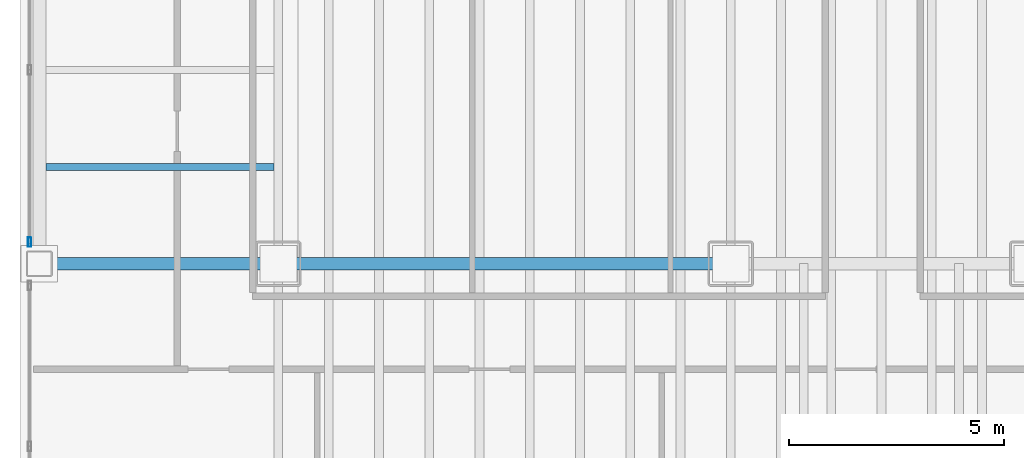
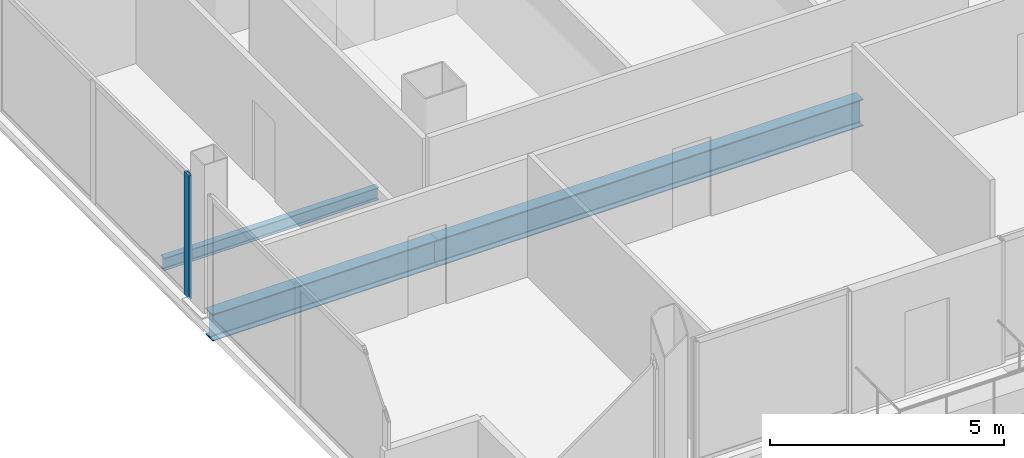
# One storey, part 4 of 21: 3 beams, 1 member, 1 element without a shape of its own.
"""IFC4 building model written with IfcOpenShell, lengths in metres."""

import ifcopenshell
import ifcopenshell.guid

model = None  # the IFC model being written
_history = None  # IfcOwnerHistory: only IFC2X3 demands one
_inside = {}  # id of a spatial element -> (the spatial element, [elements in it])
_under = {}  # id of a project, library or spatial element -> (it, [spatial elements below it])
_declared = {}  # id of a project -> (the project, [libraries it declares])
_typed = {}  # id of a type object -> (the type object, [elements of that type])
_made_of = {}  # id of a material, layer set ... -> (it, [elements and type objects made of it])


def new_model(schema):
    """Start an empty IFC model of exactly this schema.

    Asked for "IFC4X3", IfcOpenShell would pick the latest addendum, in which some entities
    have other attributes; the version numbers below select the first issue.
    IFC2X3 requires an IfcOwnerHistory on every rooted entity: one is made here for all.
    """
    global model, _history
    if schema == "IFC4X3":
        model = ifcopenshell.file(schema_version=(4, 3, 0, 0))
    else:
        model = ifcopenshell.file(schema=schema)
    _inside.clear()
    _under.clear()
    _declared.clear()
    _typed.clear()
    _made_of.clear()
    _history = None
    if model.schema == "IFC2X3":
        org = make("IfcOrganization", Name="unknown")
        user = make(
            "IfcPersonAndOrganization",
            ThePerson=make("IfcPerson", FamilyName="unknown"),
            TheOrganization=org,
        )
        app = make(
            "IfcApplication",
            ApplicationDeveloper=org,
            Version="unknown",
            ApplicationFullName="unknown",
            ApplicationIdentifier="unknown",
        )
        _history = make(
            "IfcOwnerHistory",
            OwningUser=user,
            OwningApplication=app,
            ChangeAction="ADDED",
            CreationDate=0,
        )
    return model


def make(cls, **values):
    """One entity of the class cls with the attributes given. An attribute that is None is left unset."""
    return model.create_entity(
        cls, **{name: value for name, value in values.items() if value is not None}
    )


def rooted(cls, **values):
    """An entity with a GlobalId (a new one), such as an element, a storey or a relation."""
    return make(cls, GlobalId=ifcopenshell.guid.new(), OwnerHistory=_history, **values)


def si_unit(unit_type, name, prefix=None):
    """IfcSIUnit, for example si_unit("LENGTHUNIT", "METRE", prefix="MILLI")."""
    return make("IfcSIUnit", UnitType=unit_type, Prefix=prefix, Name=name)


def assignment(units):
    """IfcUnitAssignment: the units of a project."""
    return None if units is None else make("IfcUnitAssignment", Units=units)


def point(xyz):
    """IfcCartesianPoint."""
    return None if xyz is None else make("IfcCartesianPoint", Coordinates=xyz)


def direction(xyz):
    """IfcDirection."""
    return None if xyz is None else make("IfcDirection", DirectionRatios=xyz)


def frame(location, z_axis=None, x_axis=None):
    """IfcAxis2Placement3D, a coordinate frame: its origin and axes. An axis left out is left unset."""
    return make(
        "IfcAxis2Placement3D",
        Location=point(location),
        Axis=direction(z_axis),
        RefDirection=direction(x_axis),
    )


def frame_2d(location, x_axis=None):
    """IfcAxis2Placement2D, a coordinate frame in the plane: its origin and x axis."""
    return make(
        "IfcAxis2Placement2D", Location=point(location), RefDirection=direction(x_axis)
    )


def origin():
    """The frame at (0, 0, 0) with its axes left unset."""
    return frame((0.0, 0.0, 0.0))


def origin_2d():
    """The frame at (0, 0) in the plane with its x axis left unset."""
    return frame_2d((0.0, 0.0))


def place(relative_to, where):
    """IfcLocalPlacement: puts the frame where relative to a parent placement (None: the world)."""
    return make(
        "IfcLocalPlacement", PlacementRelTo=relative_to, RelativePlacement=where
    )


def context(
    kind, dimensions, precision=None, world=None, true_north=None, identifier=None
):
    """IfcGeometricRepresentationContext, for example the 3D "Model" context."""
    return make(
        "IfcGeometricRepresentationContext",
        ContextIdentifier=identifier,
        ContextType=kind,
        CoordinateSpaceDimension=dimensions,
        Precision=precision,
        WorldCoordinateSystem=world,
        TrueNorth=true_north,
    )


def subcontext(parent, identifier, kind, view, scale=None):
    """IfcGeometricRepresentationSubContext, for example "Body" below "Model"."""
    return make(
        "IfcGeometricRepresentationSubContext",
        ContextIdentifier=identifier,
        ContextType=kind,
        ParentContext=parent,
        TargetScale=scale,
        TargetView=view,
    )


def project(units=None, contexts=None):
    """IfcProject with its units and contexts."""
    return rooted(
        "IfcProject",
        Name="project",
        RepresentationContexts=contexts,
        UnitsInContext=assignment(units),
    )


def spatial(cls, under=None, at=None, **own):
    """A site, building, storey or space (cls), placed at a placement, below another one or the project."""
    s = rooted(cls, ObjectPlacement=at, **own)
    if under is not None:
        _under.setdefault(under.id(), (under, []))[1].append(s)
    return s


def profile(cls, at=None, kind="AREA", **sizes):
    """A parametric profile (cls). Its sizes go by their IFC names, for example OverallWidth=200.0."""
    return make(cls, ProfileType=kind, Position=at, **sizes)


def hollow_rectangle(**sizes):
    """IfcRectangleHollowProfileDef."""
    return profile("IfcRectangleHollowProfileDef", **sizes)


def i_section(**sizes):
    """IfcIShapeProfileDef."""
    return profile("IfcIShapeProfileDef", **sizes)


def extrude(swept, where, along, depth):
    """IfcExtrudedAreaSolid: the profile swept, set in the frame where, extruded along a direction by depth."""
    return make(
        "IfcExtrudedAreaSolid",
        SweptArea=swept,
        Position=where,
        ExtrudedDirection=direction(along),
        Depth=depth,
    )


def shape(context_of_items, identifier, shape_type, items):
    """IfcShapeRepresentation: the items that make up one representation, for example the "Body"."""
    return make(
        "IfcShapeRepresentation",
        ContextOfItems=context_of_items,
        RepresentationIdentifier=identifier,
        RepresentationType=shape_type,
        Items=items,
    )


def material(Name=None, Category=None):
    """IfcMaterial."""
    return make("IfcMaterial", Name=Name, Category=Category)


def material_profile(
    of_material, cross_section, Name=None, Category=None, Priority=None
):
    """IfcMaterialProfile: a cross section and its material."""
    return make(
        "IfcMaterialProfile",
        Name=Name,
        Material=of_material,
        Profile=cross_section,
        Priority=Priority,
        Category=Category,
    )


def profile_set(profiles, Name=None, composite=None):
    """IfcMaterialProfileSet."""
    return make(
        "IfcMaterialProfileSet",
        Name=Name,
        MaterialProfiles=profiles,
        CompositeProfile=composite,
    )


def made_of(thing, what):
    """Note that an element or type object is made of a material, layer set ...; save() writes the relation."""
    if what is not None:
        _made_of.setdefault(what.id(), (what, []))[1].append(thing)
    return thing


def type_object(cls, material=None, **own):
    """A type object (cls), such as IfcWallType, which elements share."""
    return made_of(rooted(cls, **own), material)


def element(
    cls,
    number,
    at=None,
    inside=None,
    cuts=None,
    type_object=None,
    material=None,
    context=None,
    identifier="Body",
    shape_type=None,
    held_by="IfcProductDefinitionShape",
    body=None,
    shapes=None,
    **own,
):
    """One element of the class cls, such as IfcWall. Its Tag is "e" and its number.

    at: its placement. inside: the storey or other place that contains it. cuts: it is an
    opening in that element (IfcRelVoidsElement). A single representation is given by context,
    identifier, shape_type and body (its items); several are given by shapes. held_by: the class
    of the entity that holds the representations. save() writes the other relations.
    """
    e = rooted(cls, Tag="e%d" % number, ObjectPlacement=at, **own)
    if body is not None:
        shapes = [shape(context, identifier, shape_type, body)]
    if shapes is not None:
        e.Representation = make(held_by, Representations=shapes)
    if inside is not None:
        _inside.setdefault(inside.id(), (inside, []))[1].append(e)
    if cuts is not None:
        rooted(
            "IfcRelVoidsElement", RelatingBuildingElement=cuts, RelatedOpeningElement=e
        )
    if type_object is not None:
        _typed.setdefault(type_object.id(), (type_object, []))[1].append(e)
    return made_of(e, material)


def aggregate(whole, parts):
    """IfcRelAggregates: a whole, such as a stair, and the parts it consists of."""
    return rooted("IfcRelAggregates", RelatingObject=whole, RelatedObjects=parts)


def save(model, path):
    """Write the relations noted so far, then the file.

    IfcRelAggregates (storeys below a building ...), IfcRelContainedInSpatialStructure (elements
    in a storey), IfcRelDefinesByType, IfcRelAssociatesMaterial and IfcRelDeclares: one each for
    every whole, place, type object, material and project.
    """
    for whole, parts in _under.values():
        aggregate(whole, parts)
    for where, things in _inside.values():
        rooted(
            "IfcRelContainedInSpatialStructure",
            RelatedElements=things,
            RelatingStructure=where,
        )
    for kind, things in _typed.values():
        rooted("IfcRelDefinesByType", RelatedObjects=things, RelatingType=kind)
    for what, things in _made_of.values():
        rooted("IfcRelAssociatesMaterial", RelatedObjects=things, RelatingMaterial=what)
    for by, libraries in _declared.values():
        rooted("IfcRelDeclares", RelatingContext=by, RelatedDefinitions=libraries)
    model.write(path)


model = new_model("IFC4")

# Units and contexts
model_context = context("Model", 3, precision=1e-05, world=origin(), true_north=direction((0.0, 1.0)))
body_context = subcontext(model_context, "Body", "Model", "MODEL_VIEW")
ifc_project = project(units=[si_unit("LENGTHUNIT", "METRE"), si_unit("AREAUNIT", "SQUARE_METRE"), si_unit("VOLUMEUNIT", "CUBIC_METRE"), si_unit("PLANEANGLEUNIT", "RADIAN"), si_unit("MASSUNIT", "GRAM", prefix="KILO")], contexts=[model_context])

# Site, building, storey
site_placement = place(None, origin())
site = spatial("IfcSite", under=ifc_project, at=site_placement, CompositionType="ELEMENT")
building_placement = place(site_placement, origin())
building = spatial("IfcBuilding", under=site, at=building_placement, Name="Noeulbin Bourse Tower", CompositionType="ELEMENT")
storey_placement = place(building_placement, frame((0.0, 0.0, 92.800048828125)))
storey = spatial("IfcBuildingStorey", under=building, at=storey_placement, Name="L23", CompositionType="ELEMENT", Elevation=92.800048828125)

# Beams
ifc_material_1 = material(Name="Steel S355", Category="steel")
ifc_material_profile_1 = material_profile(ifc_material_1, i_section(OverallWidth=0.300048828125, OverallDepth=0.699951171875, WebThickness=0.012939453125, FlangeThickness=0.02392578125, FilletRadius=0.02392578125, at=origin_2d()), Name="H-700x300x13x24", Category="LoadBearing")
ifc_profile_set_1 = profile_set([ifc_material_profile_1], Name="Steel S355")
beam_type_1 = type_object("IfcBeamType", Name="BM-GRD-700", PredefinedType="USERDEFINED", material=ifc_profile_set_1)
beam_1_placement = place(storey_placement, frame((7.949951171875, 20.0, -0.530029296875), z_axis=(1.0, 0.0, 0.0), x_axis=(0.0, 1.0, 0.0)))
element("IfcBeam", 1, at=beam_1_placement, inside=storey, type_object=beam_type_1, Name="Tower Primary Girder EW L23-1.1", ObjectType="GIRDER", PredefinedType="USERDEFINED", context=body_context, shape_type="SweptSolid", body=[
    extrude(i_section(OverallWidth=0.300048828125, OverallDepth=0.699951171875, WebThickness=0.012939453125, FlangeThickness=0.02392578125, FilletRadius=0.02392578125, at=origin_2d()), origin(), (0.0, 0.0, 1.0), 5.550048828125),
])
beam_2_placement = place(storey_placement, frame((13.5, 20.0, -0.530029296875), z_axis=(1.0, 0.0, 0.0), x_axis=(0.0, 1.0, 0.0)))
element("IfcBeam", 2, at=beam_2_placement, inside=storey, type_object=beam_type_1, Name="Tower Primary Girder EW L23-1.2", ObjectType="GIRDER", PredefinedType="USERDEFINED", context=body_context, shape_type="SweptSolid", body=[
    extrude(i_section(OverallWidth=0.300048828125, OverallDepth=0.699951171875, WebThickness=0.012939453125, FlangeThickness=0.02392578125, FilletRadius=0.02392578125, at=origin_2d()), origin(), (0.0, 0.0, 1.0), 10.5),
])
ifc_material_profile_2 = material_profile(ifc_material_1, i_section(OverallWidth=0.159912109375, OverallDepth=0.320068359375, WebThickness=0.006591796875, FlangeThickness=0.010009765625, FilletRadius=0.012939453125, at=origin_2d()), Name="H-320x160x6.5x10", Category="LoadBearing")
ifc_profile_set_2 = profile_set([ifc_material_profile_2], Name="Steel S355")
beam_type_2 = type_object("IfcBeamType", Name="BM-JST-320", PredefinedType="JOIST", material=ifc_profile_set_2)
beam_3_placement = place(storey_placement, frame((8.10009765625, 22.25, -0.340087890625), z_axis=(1.0, 0.0, 0.0), x_axis=(0.0, 1.0, 0.0)))
element("IfcBeam", 3, at=beam_3_placement, inside=storey, type_object=beam_type_2, Name="Wing Composite Joist L23-W70", PredefinedType="JOIST", context=body_context, shape_type="SweptSolid", body=[
    extrude(i_section(OverallWidth=0.159912109375, OverallDepth=0.320068359375, WebThickness=0.006591796875, FlangeThickness=0.010009765625, FilletRadius=0.012939453125, at=origin_2d()), origin(), (0.0, 0.0, 1.0), 5.2998046875),
])

# Curtain wall, member
ifc_material_2 = material(Name="Dark Solar-Control Double Glazing", Category="glass")
curtain_wall_type = type_object("IfcCurtainWallType", Name="CW-SYS-2", PredefinedType="NOTDEFINED", material=ifc_material_2)
curtain_wall_placement = place(storey_placement, origin())
curtain_wall = element("IfcCurtainWall", 4, at=curtain_wall_placement, inside=storey, type_object=curtain_wall_type, Name="Unitised Curtain Wall CW-L23-W-S2", PredefinedType="NOTDEFINED")
ifc_material_3 = material(Name="Anodised Aluminium 6063-T6", Category="aluminium")
ifc_material_profile_3 = material_profile(ifc_material_3, hollow_rectangle(XDim=0.074951171875, YDim=0.219970703125, WallThickness=0.0048828125, InnerFilletRadius=0.00244140625, OuterFilletRadius=0.0048828125, at=origin_2d()), Name="ALU-MULL-75x220x5", Category="LoadBearing")
ifc_profile_set_3 = profile_set([ifc_material_profile_3], Name="Anodised Aluminium 6063-T6")
member_type = type_object("IfcMemberType", Name="CW-SYS-2-MUL", PredefinedType="MULLION", material=ifc_profile_set_3)
member_placement = place(storey_placement, frame((7.719970703125, 20.5, -0.02001953125), z_axis=(0.0, 0.0, 1.0), x_axis=(1.0, 0.0, 0.0)))
member = element("IfcMember", 5, at=member_placement, type_object=member_type, Name="Curtain Wall Mullion CW-L23-W-S2-M00", PredefinedType="MULLION", context=body_context, shape_type="SweptSolid", body=[
    extrude(hollow_rectangle(XDim=0.074951171875, YDim=0.219970703125, WallThickness=0.0048828125, InnerFilletRadius=0.00244140625, OuterFilletRadius=0.0048828125, at=origin_2d()), origin(), (0.0, 0.0, 1.0), 3.219970703125),
])
aggregate(curtain_wall, [member])

save(model, "model.ifc")
